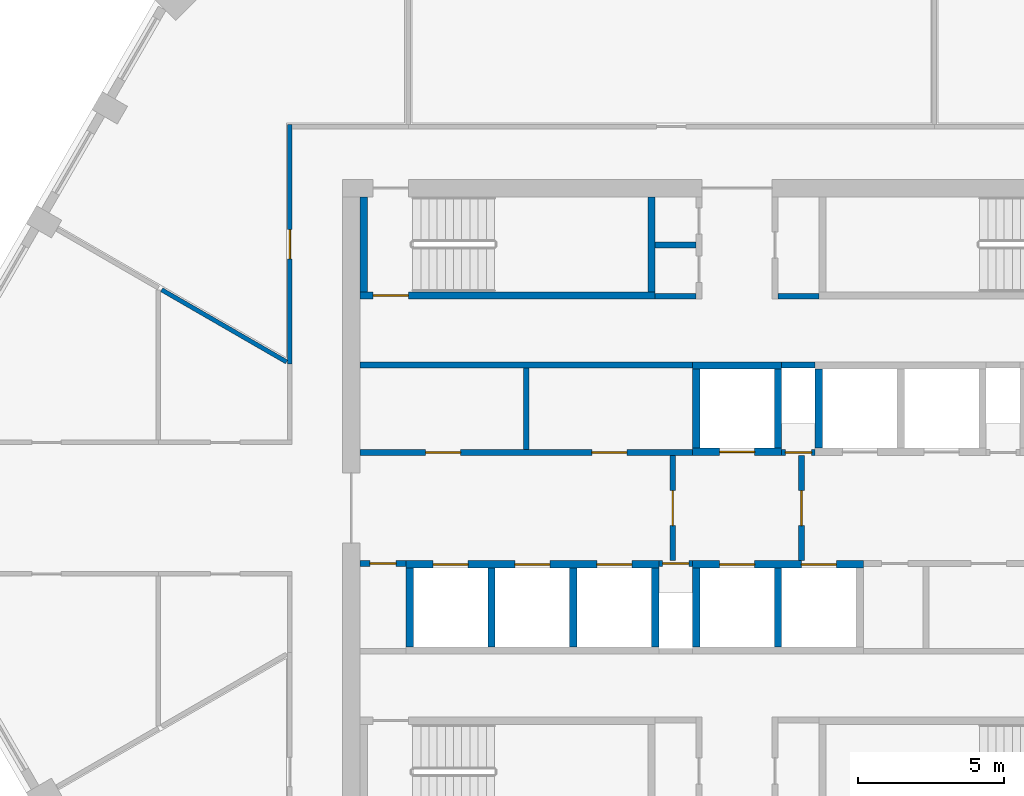
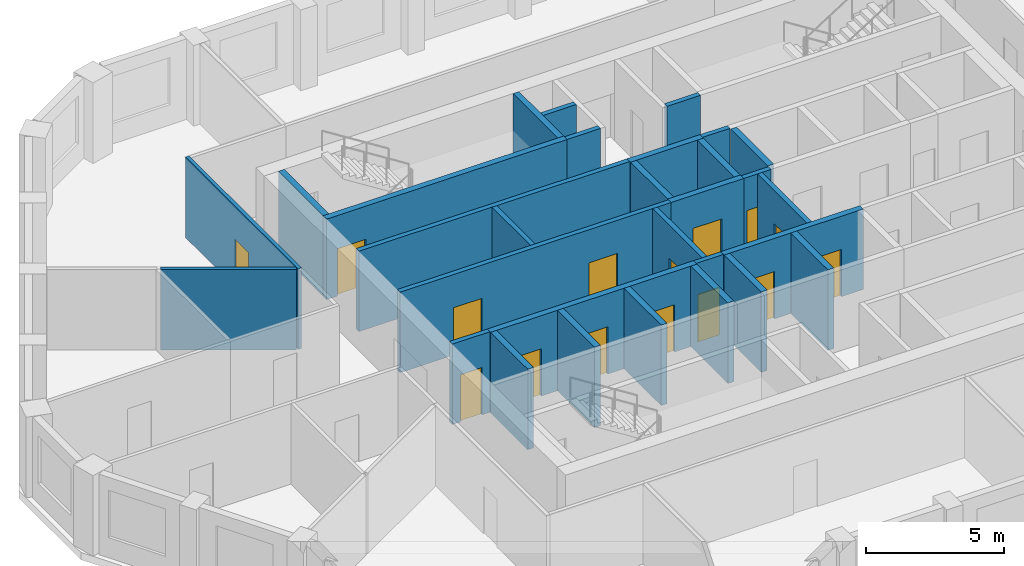
# One storey, part 3 of 11: 30 walls, 15 doors, 15 openings.
"""IFC4 building model written with IfcOpenShell, lengths in metres."""

import ifcopenshell
import ifcopenshell.guid

model = None  # the IFC model being written
_history = None  # IfcOwnerHistory: only IFC2X3 demands one
_inside = {}  # id of a spatial element -> (the spatial element, [elements in it])
_under = {}  # id of a project, library or spatial element -> (it, [spatial elements below it])
_declared = {}  # id of a project -> (the project, [libraries it declares])
_typed = {}  # id of a type object -> (the type object, [elements of that type])
_made_of = {}  # id of a material, layer set ... -> (it, [elements and type objects made of it])


def new_model(schema):
    """Start an empty IFC model of exactly this schema.

    Asked for "IFC4X3", IfcOpenShell would pick the latest addendum, in which some entities
    have other attributes; the version numbers below select the first issue.
    IFC2X3 requires an IfcOwnerHistory on every rooted entity: one is made here for all.
    """
    global model, _history
    if schema == "IFC4X3":
        model = ifcopenshell.file(schema_version=(4, 3, 0, 0))
    else:
        model = ifcopenshell.file(schema=schema)
    _inside.clear()
    _under.clear()
    _declared.clear()
    _typed.clear()
    _made_of.clear()
    _history = None
    if model.schema == "IFC2X3":
        org = make("IfcOrganization", Name="unknown")
        user = make(
            "IfcPersonAndOrganization",
            ThePerson=make("IfcPerson", FamilyName="unknown"),
            TheOrganization=org,
        )
        app = make(
            "IfcApplication",
            ApplicationDeveloper=org,
            Version="unknown",
            ApplicationFullName="unknown",
            ApplicationIdentifier="unknown",
        )
        _history = make(
            "IfcOwnerHistory",
            OwningUser=user,
            OwningApplication=app,
            ChangeAction="ADDED",
            CreationDate=0,
        )
    return model


def make(cls, **values):
    """One entity of the class cls with the attributes given. An attribute that is None is left unset."""
    return model.create_entity(
        cls, **{name: value for name, value in values.items() if value is not None}
    )


def rooted(cls, **values):
    """An entity with a GlobalId (a new one), such as an element, a storey or a relation."""
    return make(cls, GlobalId=ifcopenshell.guid.new(), OwnerHistory=_history, **values)


def si_unit(unit_type, name, prefix=None):
    """IfcSIUnit, for example si_unit("LENGTHUNIT", "METRE", prefix="MILLI")."""
    return make("IfcSIUnit", UnitType=unit_type, Prefix=prefix, Name=name)


def assignment(units):
    """IfcUnitAssignment: the units of a project."""
    return None if units is None else make("IfcUnitAssignment", Units=units)


def point(xyz):
    """IfcCartesianPoint."""
    return None if xyz is None else make("IfcCartesianPoint", Coordinates=xyz)


def direction(xyz):
    """IfcDirection."""
    return None if xyz is None else make("IfcDirection", DirectionRatios=xyz)


def frame(location, z_axis=None, x_axis=None):
    """IfcAxis2Placement3D, a coordinate frame: its origin and axes. An axis left out is left unset."""
    return make(
        "IfcAxis2Placement3D",
        Location=point(location),
        Axis=direction(z_axis),
        RefDirection=direction(x_axis),
    )


def frame_2d(location, x_axis=None):
    """IfcAxis2Placement2D, a coordinate frame in the plane: its origin and x axis."""
    return make(
        "IfcAxis2Placement2D", Location=point(location), RefDirection=direction(x_axis)
    )


def origin():
    """The frame at (0, 0, 0) with its axes left unset."""
    return frame((0.0, 0.0, 0.0))


def place(relative_to, where):
    """IfcLocalPlacement: puts the frame where relative to a parent placement (None: the world)."""
    return make(
        "IfcLocalPlacement", PlacementRelTo=relative_to, RelativePlacement=where
    )


def context(
    kind, dimensions, precision=None, world=None, true_north=None, identifier=None
):
    """IfcGeometricRepresentationContext, for example the 3D "Model" context."""
    return make(
        "IfcGeometricRepresentationContext",
        ContextIdentifier=identifier,
        ContextType=kind,
        CoordinateSpaceDimension=dimensions,
        Precision=precision,
        WorldCoordinateSystem=world,
        TrueNorth=true_north,
    )


def subcontext(parent, identifier, kind, view, scale=None):
    """IfcGeometricRepresentationSubContext, for example "Body" below "Model"."""
    return make(
        "IfcGeometricRepresentationSubContext",
        ContextIdentifier=identifier,
        ContextType=kind,
        ParentContext=parent,
        TargetScale=scale,
        TargetView=view,
    )


def project(units=None, contexts=None):
    """IfcProject with its units and contexts."""
    return rooted(
        "IfcProject",
        Name="project",
        RepresentationContexts=contexts,
        UnitsInContext=assignment(units),
    )


def spatial(cls, under=None, at=None, **own):
    """A site, building, storey or space (cls), placed at a placement, below another one or the project."""
    s = rooted(cls, ObjectPlacement=at, **own)
    if under is not None:
        _under.setdefault(under.id(), (under, []))[1].append(s)
    return s


def polyline(points):
    """IfcPolyline through the points."""
    return make("IfcPolyline", Points=[point(p) for p in points])


def profile(cls, at=None, kind="AREA", **sizes):
    """A parametric profile (cls). Its sizes go by their IFC names, for example OverallWidth=200.0."""
    return make(cls, ProfileType=kind, Position=at, **sizes)


def rectangle(**sizes):
    """IfcRectangleProfileDef."""
    return profile("IfcRectangleProfileDef", **sizes)


def outline(outer, holes=None, kind="AREA"):
    """IfcArbitraryClosedProfileDef: a profile drawn as a closed curve; with holes, ...WithVoids."""
    if holes is None:
        return make("IfcArbitraryClosedProfileDef", ProfileType=kind, OuterCurve=outer)
    return make(
        "IfcArbitraryProfileDefWithVoids",
        ProfileType=kind,
        OuterCurve=outer,
        InnerCurves=holes,
    )


def extrude(swept, where, along, depth):
    """IfcExtrudedAreaSolid: the profile swept, set in the frame where, extruded along a direction by depth."""
    return make(
        "IfcExtrudedAreaSolid",
        SweptArea=swept,
        Position=where,
        ExtrudedDirection=direction(along),
        Depth=depth,
    )


def shape(context_of_items, identifier, shape_type, items):
    """IfcShapeRepresentation: the items that make up one representation, for example the "Body"."""
    return make(
        "IfcShapeRepresentation",
        ContextOfItems=context_of_items,
        RepresentationIdentifier=identifier,
        RepresentationType=shape_type,
        Items=items,
    )


def material(Name=None, Category=None):
    """IfcMaterial."""
    return make("IfcMaterial", Name=Name, Category=Category)


def layer(
    of_material, thickness, ventilated=None, Name=None, Category=None, Priority=None
):
    """IfcMaterialLayer: one layer of a wall or slab, of a material (None: an air gap)."""
    return make(
        "IfcMaterialLayer",
        Material=of_material,
        LayerThickness=thickness,
        IsVentilated=ventilated,
        Name=Name,
        Category=Category,
        Priority=Priority,
    )


def layer_set(layers, Name=None):
    """IfcMaterialLayerSet."""
    return make("IfcMaterialLayerSet", MaterialLayers=layers, LayerSetName=Name)


def made_of(thing, what):
    """Note that an element or type object is made of a material, layer set ...; save() writes the relation."""
    if what is not None:
        _made_of.setdefault(what.id(), (what, []))[1].append(thing)
    return thing


def type_object(cls, material=None, **own):
    """A type object (cls), such as IfcWallType, which elements share."""
    return made_of(rooted(cls, **own), material)


def element(
    cls,
    number,
    at=None,
    inside=None,
    cuts=None,
    type_object=None,
    material=None,
    context=None,
    identifier="Body",
    shape_type=None,
    held_by="IfcProductDefinitionShape",
    body=None,
    shapes=None,
    **own,
):
    """One element of the class cls, such as IfcWall. Its Tag is "e" and its number.

    at: its placement. inside: the storey or other place that contains it. cuts: it is an
    opening in that element (IfcRelVoidsElement). A single representation is given by context,
    identifier, shape_type and body (its items); several are given by shapes. held_by: the class
    of the entity that holds the representations. save() writes the other relations.
    """
    e = rooted(cls, Tag="e%d" % number, ObjectPlacement=at, **own)
    if body is not None:
        shapes = [shape(context, identifier, shape_type, body)]
    if shapes is not None:
        e.Representation = make(held_by, Representations=shapes)
    if inside is not None:
        _inside.setdefault(inside.id(), (inside, []))[1].append(e)
    if cuts is not None:
        rooted(
            "IfcRelVoidsElement", RelatingBuildingElement=cuts, RelatedOpeningElement=e
        )
    if type_object is not None:
        _typed.setdefault(type_object.id(), (type_object, []))[1].append(e)
    return made_of(e, material)


def fill(opening, filler):
    """IfcRelFillsElement: the door or window that sits in an opening."""
    return rooted(
        "IfcRelFillsElement",
        RelatingOpeningElement=opening,
        RelatedBuildingElement=filler,
    )


def aggregate(whole, parts):
    """IfcRelAggregates: a whole, such as a stair, and the parts it consists of."""
    return rooted("IfcRelAggregates", RelatingObject=whole, RelatedObjects=parts)


def save(model, path):
    """Write the relations noted so far, then the file.

    IfcRelAggregates (storeys below a building ...), IfcRelContainedInSpatialStructure (elements
    in a storey), IfcRelDefinesByType, IfcRelAssociatesMaterial and IfcRelDeclares: one each for
    every whole, place, type object, material and project.
    """
    for whole, parts in _under.values():
        aggregate(whole, parts)
    for where, things in _inside.values():
        rooted(
            "IfcRelContainedInSpatialStructure",
            RelatedElements=things,
            RelatingStructure=where,
        )
    for kind, things in _typed.values():
        rooted("IfcRelDefinesByType", RelatedObjects=things, RelatingType=kind)
    for what, things in _made_of.values():
        rooted("IfcRelAssociatesMaterial", RelatedObjects=things, RelatingMaterial=what)
    for by, libraries in _declared.values():
        rooted("IfcRelDeclares", RelatingContext=by, RelatedDefinitions=libraries)
    model.write(path)


model = new_model("IFC4")

# Units and contexts
model_context = context("Model", 3, precision=1e-05, world=origin(), true_north=direction((0.0, 1.0)))
body_context = subcontext(model_context, "Body", "Model", "MODEL_VIEW")
ifc_project = project(units=[si_unit("LENGTHUNIT", "METRE"), si_unit("AREAUNIT", "SQUARE_METRE"), si_unit("VOLUMEUNIT", "CUBIC_METRE"), si_unit("PLANEANGLEUNIT", "RADIAN"), si_unit("MASSUNIT", "GRAM", prefix="KILO")], contexts=[model_context])

# Site, building, storey
site_placement = place(None, origin())
site = spatial("IfcSite", under=ifc_project, at=site_placement, CompositionType="ELEMENT")
building_placement = place(site_placement, origin())
building = spatial("IfcBuilding", under=site, at=building_placement, Name="Dhurran Vertical Campus", CompositionType="ELEMENT")
storey_placement = place(building_placement, frame((0.0, 0.0, 270.300048828125)))
storey = spatial("IfcBuildingStorey", under=building, at=storey_placement, Name="L67", CompositionType="ELEMENT", Elevation=270.300048828125)

# Wall, opening, door
ifc_material_1 = material(Name="Fire-rated masonry blockwork", Category="masonry")
ifc_layer_1 = layer(ifc_material_1, 0.199951171875)
ifc_layer_set_1 = layer_set([ifc_layer_1], Name="Fire-rated masonry blockwork")
wall_type_1 = type_object("IfcWallType", Name="co-FIRE-PARTITION-200", PredefinedType="PARTITIONING", material=ifc_layer_set_1)
wall_1_placement = place(storey_placement, frame((-2.199951171875, -1.800048828125, 0.0), z_axis=(0.0, 0.0, 1.0), x_axis=(0.0, 1.0, 0.0)))
wall_1 = element("IfcWall", 1, at=wall_1_placement, inside=storey, type_object=wall_type_1, Name="Firefighting lobby wall W L67", PredefinedType="PARTITIONING", context=body_context, shape_type="SweptSolid", body=[
    extrude(rectangle(XDim=3.60009765625, YDim=0.199951171875, at=frame_2d((1.800048828125, 0.0))), origin(), (0.0, 0.0, 1.0), 3.574951171875),
])
opening_1_placement = place(wall_1_placement, frame((1.199951171875, 0.0, 0.0)))
opening_1 = element("IfcOpeningElement", 2, at=opening_1_placement, cuts=wall_1, Name="Opening FL1", PredefinedType="OPENING", context=body_context, shape_type="SweptSolid", body=[
    extrude(rectangle(XDim=1.199951171875, YDim=2.10009765625, at=frame_2d((0.60009765625, 1.050048828125))), frame((0.0, 0.10986328125, 0.0), z_axis=(0.0, -1.0, 0.0), x_axis=(1.0, 0.0, 0.0)), (0.0, 0.0, 1.0), 0.219970703125),
])
ifc_material_2 = material(Name="Fire-rated steel door set", Category="steel")
door_type_1 = type_object("IfcDoorType", Name="co-D-FFLOBBY 1200x2100", OperationType="SINGLE_SWING_LEFT", PredefinedType="DOOR", material=ifc_material_2)
door_1_placement = place(opening_1_placement, origin())
door_1 = element("IfcDoor", 3, at=door_1_placement, inside=storey, type_object=door_type_1, Name="Firefighting lobby door W L67", OperationType="SINGLE_SWING_LEFT", OverallHeight=2.10009765625, OverallWidth=1.199951171875, PredefinedType="DOOR", context=body_context, shape_type="SweptSolid", body=[
    extrude(rectangle(XDim=1.199951171875, YDim=2.10009765625, at=frame_2d((0.60009765625, 1.050048828125))), frame((0.0, 0.02490234375, 0.0), z_axis=(0.0, -1.0, 0.0), x_axis=(1.0, 0.0, 0.0)), (0.0, 0.0, 1.0), 0.050048828125),
])
fill(opening_1, door_1)

wall_2_placement = place(storey_placement, frame((2.199951171875, -1.800048828125, 0.0), z_axis=(0.0, 0.0, 1.0), x_axis=(0.0, 1.0, 0.0)))
wall_2 = element("IfcWall", 4, at=wall_2_placement, inside=storey, type_object=wall_type_1, Name="Firefighting lobby wall E L67", PredefinedType="PARTITIONING", context=body_context, shape_type="SweptSolid", body=[
    extrude(rectangle(XDim=3.60009765625, YDim=0.199951171875, at=frame_2d((1.800048828125, 0.0))), origin(), (0.0, 0.0, 1.0), 3.574951171875),
])
opening_2_placement = place(wall_2_placement, frame((1.199951171875, 0.0, 0.0)))
opening_2 = element("IfcOpeningElement", 5, at=opening_2_placement, cuts=wall_2, Name="Opening FL2", PredefinedType="OPENING", context=body_context, shape_type="SweptSolid", body=[
    extrude(rectangle(XDim=1.199951171875, YDim=2.10009765625, at=frame_2d((0.60009765625, 1.050048828125))), frame((0.0, 0.10986328125, 0.0), z_axis=(0.0, -1.0, 0.0), x_axis=(1.0, 0.0, 0.0)), (0.0, 0.0, 1.0), 0.219970703125),
])
door_2_placement = place(opening_2_placement, origin())
door_2 = element("IfcDoor", 6, at=door_2_placement, inside=storey, type_object=door_type_1, Name="Firefighting lobby door E L67", OperationType="SINGLE_SWING_LEFT", OverallHeight=2.10009765625, OverallWidth=1.199951171875, PredefinedType="DOOR", context=body_context, shape_type="SweptSolid", body=[
    extrude(rectangle(XDim=1.199951171875, YDim=2.10009765625, at=frame_2d((0.60009765625, 1.050048828125))), frame((0.0, 0.02490234375, 0.0), z_axis=(0.0, -1.0, 0.0), x_axis=(1.0, 0.0, 0.0)), (0.0, 0.0, 1.0), 0.050048828125),
])
fill(opening_2, door_2)

# Walls
for number, where, z_axis, x_axis, name in (
    (7, (-2.800048828125, 7.25, 0.0), (0.0, 0.0, 1.0), (1.0, 0.0, 0.0), "Core partition sl-NW-S L67"),
    (8, (-2.800048828125, 9.0, 0.0), (0.0, 0.0, 1.0), (1.0, 0.0, 0.0), "Core partition sl-NW-cut0 L67"),
    (9, (1.39990234375, 7.25, 0.0), (0.0, 0.0, 1.0), (1.0, 0.0, 0.0), "Core partition sl-NE-S L67"),
):
    element("IfcWall", number, at=place(storey_placement, frame(where, z_axis=z_axis, x_axis=x_axis)), inside=storey, type_object=wall_type_1, Name=name, PredefinedType="PARTITIONING", context=body_context, shape_type="SweptSolid", body=[
        extrude(rectangle(XDim=1.400146484375, YDim=0.199951171875, at=frame_2d((0.7001953125, 0.0))), origin(), (0.0, 0.0, 1.0), 3.574951171875),
    ])
wall_3_placement = place(storey_placement, frame((-7.21240234375, 2.0, 0.0), z_axis=(0.0, 0.0, 1.0), x_axis=(0.0, 1.0, 0.0)))
element("IfcWall", 10, at=wall_3_placement, inside=storey, type_object=wall_type_1, Name="Core partition fr-N0-cut0 L67", PredefinedType="PARTITIONING", context=body_context, shape_type="SweptSolid", body=[
    extrude(rectangle(XDim=2.800048828125, YDim=0.199951171875, at=frame_2d((1.39990234375, 0.0))), origin(), (0.0, 0.0, 1.0), 3.574951171875),
])

# Wall, openings, doors
wall_4_placement = place(storey_placement, frame((-12.89990234375, 1.89990234375, 0.0), z_axis=(0.0, 0.0, 1.0), x_axis=(1.0, 0.0, 0.0)))
wall_4 = element("IfcWall", 11, at=wall_4_placement, inside=storey, type_object=wall_type_1, Name="Core partition fr-N0-f L67", PredefinedType="PARTITIONING", context=body_context, shape_type="SweptSolid", body=[
    extrude(rectangle(XDim=11.375, YDim=0.199951171875, at=frame_2d((5.6875, 0.0))), origin(), (0.0, 0.0, 1.0), 3.574951171875),
])
opening_3_placement = place(wall_4_placement, frame((2.243896484375, 0.0, 0.0)))
opening_3 = element("IfcOpeningElement", 12, at=opening_3_placement, cuts=wall_4, Name="Opening T20-C6", PredefinedType="OPENING", context=body_context, shape_type="SweptSolid", body=[
    extrude(rectangle(XDim=1.199951171875, YDim=2.10009765625, at=frame_2d((0.60009765625, 1.050048828125))), frame((0.0, 0.10986328125, 0.0), z_axis=(0.0, -1.0, 0.0), x_axis=(1.0, 0.0, 0.0)), (0.0, 0.0, 1.0), 0.219970703125),
])
opening_4_placement = place(wall_4_placement, frame((7.931396484375, 0.0, 0.0)))
opening_4 = element("IfcOpeningElement", 13, at=opening_4_placement, cuts=wall_4, Name="Opening T20-C7", PredefinedType="OPENING", context=body_context, shape_type="SweptSolid", body=[
    extrude(rectangle(XDim=1.199951171875, YDim=2.10009765625, at=frame_2d((0.60009765625, 1.050048828125))), frame((0.0, 0.10986328125, 0.0), z_axis=(0.0, -1.0, 0.0), x_axis=(1.0, 0.0, 0.0)), (0.0, 0.0, 1.0), 0.219970703125),
])
ifc_material_3 = material(Name="Fire-rated steel door set", Category="steel")
door_type_2 = type_object("IfcDoorType", Name="co-D-ROOM-PASSAGE 1200x2100", OperationType="SINGLE_SWING_RIGHT", PredefinedType="DOOR", material=ifc_material_3)
door_3_placement = place(opening_3_placement, origin())
door_3 = element("IfcDoor", 14, at=door_3_placement, inside=storey, type_object=door_type_2, Name="Electrical riser door L67", OperationType="SINGLE_SWING_RIGHT", OverallHeight=2.10009765625, OverallWidth=1.199951171875, PredefinedType="DOOR", context=body_context, shape_type="SweptSolid", body=[
    extrude(rectangle(XDim=1.199951171875, YDim=2.10009765625, at=frame_2d((0.60009765625, 1.050048828125))), frame((0.0, 0.02490234375, 0.0), z_axis=(0.0, -1.0, 0.0), x_axis=(1.0, 0.0, 0.0)), (0.0, 0.0, 1.0), 0.050048828125),
])
fill(opening_3, door_3)
door_4_placement = place(opening_4_placement, origin())
door_4 = element("IfcDoor", 15, at=door_4_placement, inside=storey, type_object=door_type_2, Name="Pantry door L67", OperationType="SINGLE_SWING_RIGHT", OverallHeight=2.10009765625, OverallWidth=1.199951171875, PredefinedType="DOOR", context=body_context, shape_type="SweptSolid", body=[
    extrude(rectangle(XDim=1.199951171875, YDim=2.10009765625, at=frame_2d((0.60009765625, 1.050048828125))), frame((0.0, 0.02490234375, 0.0), z_axis=(0.0, -1.0, 0.0), x_axis=(1.0, 0.0, 0.0)), (0.0, 0.0, 1.0), 0.050048828125),
])
fill(opening_4, door_4)

# Wall
wall_5_placement = place(storey_placement, frame((-12.89990234375, 4.89990234375, 0.0), z_axis=(0.0, 0.0, 1.0), x_axis=(1.0, 0.0, 0.0)))
element("IfcWall", 16, at=wall_5_placement, inside=storey, type_object=wall_type_1, Name="Core partition fr-N0-b L67", PredefinedType="PARTITIONING", context=body_context, shape_type="SweptSolid", body=[
    extrude(rectangle(XDim=11.375, YDim=0.199951171875, at=frame_2d((5.6875, 0.0))), origin(), (0.0, 0.0, 1.0), 3.574951171875),
])

# Wall, opening, door
wall_6_placement = place(storey_placement, frame((1.52490234375, 1.89990234375, 0.0), z_axis=(0.0, 0.0, 1.0), x_axis=(1.0, 0.0, 0.0)))
wall_6 = element("IfcWall", 17, at=wall_6_placement, inside=storey, type_object=wall_type_1, Name="Core partition fr-N1-f L67", PredefinedType="PARTITIONING", context=body_context, shape_type="SweptSolid", body=[
    extrude(rectangle(XDim=1.150146484375, YDim=0.199951171875, at=frame_2d((0.5751953125, 0.0))), origin(), (0.0, 0.0, 1.0), 3.574951171875),
])
opening_5_placement = place(wall_6_placement, frame((0.125, 0.0, 0.0)))
opening_5 = element("IfcOpeningElement", 18, at=opening_5_placement, cuts=wall_6, Name="Opening T20-C8", PredefinedType="OPENING", context=body_context, shape_type="SweptSolid", body=[
    extrude(rectangle(XDim=0.89990234375, YDim=2.10009765625, at=frame_2d((0.449951171875, 1.050048828125))), frame((0.0, 0.10986328125, 0.0), z_axis=(0.0, -1.0, 0.0), x_axis=(1.0, 0.0, 0.0)), (0.0, 0.0, 1.0), 0.219970703125),
])
ifc_material_4 = material(Name="Fire-rated timber door set", Category="wood")
door_type_3 = type_object("IfcDoorType", Name="co-D-ROOM 900x2100", OperationType="SINGLE_SWING_LEFT", PredefinedType="DOOR", material=ifc_material_4)
door_5_placement = place(opening_5_placement, origin())
door_5 = element("IfcDoor", 19, at=door_5_placement, inside=storey, type_object=door_type_3, Name="Water riser door L67", OperationType="SINGLE_SWING_LEFT", OverallHeight=2.10009765625, OverallWidth=0.89990234375, PredefinedType="DOOR", context=body_context, shape_type="SweptSolid", body=[
    extrude(rectangle(XDim=0.89990234375, YDim=2.10009765625, at=frame_2d((0.449951171875, 1.050048828125))), frame((0.0, 0.02490234375, 0.0), z_axis=(0.0, -1.0, 0.0), x_axis=(1.0, 0.0, 0.0)), (0.0, 0.0, 1.0), 0.050048828125),
])
fill(opening_5, door_5)

# Wall
wall_7_placement = place(storey_placement, frame((1.52490234375, 4.89990234375, 0.0), z_axis=(0.0, 0.0, 1.0), x_axis=(1.0, 0.0, 0.0)))
element("IfcWall", 20, at=wall_7_placement, inside=storey, type_object=wall_type_1, Name="Core partition fr-N1-b L67", PredefinedType="PARTITIONING", context=body_context, shape_type="SweptSolid", body=[
    extrude(rectangle(XDim=1.150146484375, YDim=0.199951171875, at=frame_2d((0.5751953125, 0.0))), origin(), (0.0, 0.0, 1.0), 3.574951171875),
])

# Wall, opening, door
wall_8_placement = place(storey_placement, frame((-12.89990234375, -1.89990234375, 0.0), z_axis=(0.0, 0.0, 1.0), x_axis=(1.0, 0.0, 0.0)))
wall_8 = element("IfcWall", 21, at=wall_8_placement, inside=storey, type_object=wall_type_1, Name="Core partition fr-S0-f L67", PredefinedType="PARTITIONING", context=body_context, shape_type="SweptSolid", body=[
    extrude(rectangle(XDim=1.574951171875, YDim=0.199951171875, at=frame_2d((0.78759765625, 0.0))), origin(), (0.0, 0.0, 1.0), 3.574951171875),
])
opening_6_placement = place(wall_8_placement, frame((0.33740234375, 0.0, 0.0)))
opening_6 = element("IfcOpeningElement", 22, at=opening_6_placement, cuts=wall_8, Name="Opening T20-C10", PredefinedType="OPENING", context=body_context, shape_type="SweptSolid", body=[
    extrude(rectangle(XDim=0.89990234375, YDim=2.10009765625, at=frame_2d((0.449951171875, 1.050048828125))), frame((0.0, 0.10986328125, 0.0), z_axis=(0.0, -1.0, 0.0), x_axis=(1.0, 0.0, 0.0)), (0.0, 0.0, 1.0), 0.219970703125),
])
door_6_placement = place(opening_6_placement, origin())
door_6 = element("IfcDoor", 23, at=door_6_placement, inside=storey, type_object=door_type_3, Name="Cleaner's store door L67", OperationType="SINGLE_SWING_LEFT", OverallHeight=2.10009765625, OverallWidth=0.89990234375, PredefinedType="DOOR", context=body_context, shape_type="SweptSolid", body=[
    extrude(rectangle(XDim=0.89990234375, YDim=2.10009765625, at=frame_2d((0.449951171875, 1.050048828125))), frame((0.0, 0.02490234375, 0.0), z_axis=(0.0, -1.0, 0.0), x_axis=(1.0, 0.0, 0.0)), (0.0, 0.0, 1.0), 0.050048828125),
])
fill(opening_6, door_6)

wall_9_placement = place(storey_placement, frame((-2.675048828125, -1.89990234375, 0.0), z_axis=(0.0, 0.0, 1.0), x_axis=(1.0, 0.0, 0.0)))
wall_9 = element("IfcWall", 24, at=wall_9_placement, inside=storey, type_object=wall_type_1, Name="Core partition fr-S1-f L67", PredefinedType="PARTITIONING", context=body_context, shape_type="SweptSolid", body=[
    extrude(rectangle(XDim=1.150146484375, YDim=0.199951171875, at=frame_2d((0.5751953125, 0.0))), origin(), (0.0, 0.0, 1.0), 3.574951171875),
])
opening_7_placement = place(wall_9_placement, frame((0.125, 0.0, 0.0)))
opening_7 = element("IfcOpeningElement", 25, at=opening_7_placement, cuts=wall_9, Name="Opening T20-C11", PredefinedType="OPENING", context=body_context, shape_type="SweptSolid", body=[
    extrude(rectangle(XDim=0.89990234375, YDim=2.10009765625, at=frame_2d((0.449951171875, 1.050048828125))), frame((0.0, 0.10986328125, 0.0), z_axis=(0.0, -1.0, 0.0), x_axis=(1.0, 0.0, 0.0)), (0.0, 0.0, 1.0), 0.219970703125),
])
door_7_placement = place(opening_7_placement, origin())
door_7 = element("IfcDoor", 26, at=door_7_placement, inside=storey, type_object=door_type_3, Name="Communications riser door L67", OperationType="SINGLE_SWING_LEFT", OverallHeight=2.10009765625, OverallWidth=0.89990234375, PredefinedType="DOOR", context=body_context, shape_type="SweptSolid", body=[
    extrude(rectangle(XDim=0.89990234375, YDim=2.10009765625, at=frame_2d((0.449951171875, 1.050048828125))), frame((0.0, 0.02490234375, 0.0), z_axis=(0.0, -1.0, 0.0), x_axis=(1.0, 0.0, 0.0)), (0.0, 0.0, 1.0), 0.050048828125),
])
fill(opening_7, door_7)

ifc_material_5 = material(Name="Concrete C50/60", Category="concrete")
ifc_layer_2 = layer(ifc_material_5, 0.25)
ifc_layer_set_2 = layer_set([ifc_layer_2], Name="Concrete C50/60")
wall_type_2 = type_object("IfcWallType", Name="co-SHAFT-FRONT-250", PredefinedType="SHEAR", material=ifc_layer_set_2)
wall_10_placement = place(storey_placement, frame((-1.52490234375, 1.925048828125, 0.0), z_axis=(0.0, 0.0, 1.0), x_axis=(1.0, 0.0, 0.0)))
wall_10 = element("IfcWall", 27, at=wall_10_placement, inside=storey, type_object=wall_type_2, Name="Lift landing wall N L67", PredefinedType="SHEAR", context=body_context, shape_type="SweptSolid", body=[
    extrude(rectangle(XDim=3.0498046875, YDim=0.25, at=frame_2d((1.52490234375, 0.0))), origin(), (0.0, 0.0, 1.0), 3.574951171875),
])
opening_8_placement = place(wall_10_placement, frame((0.925048828125, 0.0, 0.0)))
opening_8 = element("IfcOpeningElement", 28, at=opening_8_placement, cuts=wall_10, Name="Opening LD", PredefinedType="OPENING", context=body_context, shape_type="SweptSolid", body=[
    extrude(rectangle(XDim=1.199951171875, YDim=2.10009765625, at=frame_2d((0.60009765625, 1.050048828125))), frame((0.0, 0.135009765625, 0.0), z_axis=(0.0, -1.0, 0.0), x_axis=(1.0, 0.0, 0.0)), (0.0, 0.0, 1.0), 0.27001953125),
])
ifc_material_6 = material(Name="Stainless steel landing door", Category="steel")
door_type_4 = type_object("IfcDoorType", Name="co-D-LANDING 1200x2100", OperationType="DOUBLE_DOOR_SLIDING", PredefinedType="DOOR", material=ifc_material_6)
door_8_placement = place(opening_8_placement, origin())
door_8 = element("IfcDoor", 29, at=door_8_placement, inside=storey, type_object=door_type_4, Name="Landing door FF1 L67", OperationType="DOUBLE_DOOR_SLIDING", OverallHeight=2.10009765625, OverallWidth=1.199951171875, PredefinedType="DOOR", context=body_context, shape_type="SweptSolid", body=[
    extrude(rectangle(XDim=1.199951171875, YDim=2.10009765625, at=frame_2d((0.60009765625, 1.050048828125))), frame((0.0, 0.02490234375, 0.0), z_axis=(0.0, -1.0, 0.0), x_axis=(1.0, 0.0, 0.0)), (0.0, 0.0, 1.0), 0.050048828125),
])
fill(opening_8, door_8)

# Wall, openings, doors
wall_11_placement = place(storey_placement, frame((-11.324951171875, -1.925048828125, 0.0), z_axis=(0.0, 0.0, 1.0), x_axis=(1.0, 0.0, 0.0)))
wall_11 = element("IfcWall", 30, at=wall_11_placement, inside=storey, type_object=wall_type_2, Name="Lift landing wall S L67", PredefinedType="SHEAR", context=body_context, shape_type="SweptSolid", body=[
    extrude(rectangle(XDim=8.64990234375, YDim=0.25, at=frame_2d((4.324951171875, 0.0))), origin(), (0.0, 0.0, 1.0), 3.574951171875),
])
opening_9_placement = place(wall_11_placement, frame((0.925048828125, 0.0, 0.0)))
opening_9 = element("IfcOpeningElement", 31, at=opening_9_placement, cuts=wall_11, Name="Opening LD", PredefinedType="OPENING", context=body_context, shape_type="SweptSolid", body=[
    extrude(rectangle(XDim=1.199951171875, YDim=2.10009765625, at=frame_2d((0.60009765625, 1.050048828125))), frame((0.0, 0.135009765625, 0.0), z_axis=(0.0, -1.0, 0.0), x_axis=(1.0, 0.0, 0.0)), (0.0, 0.0, 1.0), 0.27001953125),
])
opening_10_placement = place(wall_11_placement, frame((3.72509765625, 0.0, 0.0)))
opening_10 = element("IfcOpeningElement", 32, at=opening_10_placement, cuts=wall_11, Name="Opening LD", PredefinedType="OPENING", context=body_context, shape_type="SweptSolid", body=[
    extrude(rectangle(XDim=1.199951171875, YDim=2.10009765625, at=frame_2d((0.60009765625, 1.050048828125))), frame((0.0, 0.135009765625, 0.0), z_axis=(0.0, -1.0, 0.0), x_axis=(1.0, 0.0, 0.0)), (0.0, 0.0, 1.0), 0.27001953125),
])
opening_11_placement = place(wall_11_placement, frame((6.52490234375, 0.0, 0.0)))
opening_11 = element("IfcOpeningElement", 33, at=opening_11_placement, cuts=wall_11, Name="Opening LD", PredefinedType="OPENING", context=body_context, shape_type="SweptSolid", body=[
    extrude(rectangle(XDim=1.199951171875, YDim=2.10009765625, at=frame_2d((0.60009765625, 1.050048828125))), frame((0.0, 0.135009765625, 0.0), z_axis=(0.0, -1.0, 0.0), x_axis=(1.0, 0.0, 0.0)), (0.0, 0.0, 1.0), 0.27001953125),
])
door_9_placement = place(opening_9_placement, origin())
door_9 = element("IfcDoor", 34, at=door_9_placement, inside=storey, type_object=door_type_4, Name="Landing door HR3 L67", OperationType="DOUBLE_DOOR_SLIDING", OverallHeight=2.10009765625, OverallWidth=1.199951171875, PredefinedType="DOOR", context=body_context, shape_type="SweptSolid", body=[
    extrude(rectangle(XDim=1.199951171875, YDim=2.10009765625, at=frame_2d((0.60009765625, 1.050048828125))), frame((0.0, 0.02490234375, 0.0), z_axis=(0.0, -1.0, 0.0), x_axis=(1.0, 0.0, 0.0)), (0.0, 0.0, 1.0), 0.050048828125),
])
fill(opening_9, door_9)
door_10_placement = place(opening_10_placement, origin())
door_10 = element("IfcDoor", 35, at=door_10_placement, inside=storey, type_object=door_type_4, Name="Landing door HR4 L67", OperationType="DOUBLE_DOOR_SLIDING", OverallHeight=2.10009765625, OverallWidth=1.199951171875, PredefinedType="DOOR", context=body_context, shape_type="SweptSolid", body=[
    extrude(rectangle(XDim=1.199951171875, YDim=2.10009765625, at=frame_2d((0.60009765625, 1.050048828125))), frame((0.0, 0.02490234375, 0.0), z_axis=(0.0, -1.0, 0.0), x_axis=(1.0, 0.0, 0.0)), (0.0, 0.0, 1.0), 0.050048828125),
])
fill(opening_10, door_10)
door_11_placement = place(opening_11_placement, origin())
door_11 = element("IfcDoor", 36, at=door_11_placement, inside=storey, type_object=door_type_4, Name="Landing door HR5 L67", OperationType="DOUBLE_DOOR_SLIDING", OverallHeight=2.10009765625, OverallWidth=1.199951171875, PredefinedType="DOOR", context=body_context, shape_type="SweptSolid", body=[
    extrude(rectangle(XDim=1.199951171875, YDim=2.10009765625, at=frame_2d((0.60009765625, 1.050048828125))), frame((0.0, 0.02490234375, 0.0), z_axis=(0.0, -1.0, 0.0), x_axis=(1.0, 0.0, 0.0)), (0.0, 0.0, 1.0), 0.050048828125),
])
fill(opening_11, door_11)

wall_12_placement = place(storey_placement, frame((-1.52490234375, -1.925048828125, 0.0), z_axis=(0.0, 0.0, 1.0), x_axis=(1.0, 0.0, 0.0)))
wall_12 = element("IfcWall", 37, at=wall_12_placement, inside=storey, type_object=wall_type_2, Name="Lift landing wall S L67", PredefinedType="SHEAR", context=body_context, shape_type="SweptSolid", body=[
    extrude(rectangle(XDim=5.849853515625, YDim=0.25, at=frame_2d((2.9248046875, 0.0))), origin(), (0.0, 0.0, 1.0), 3.574951171875),
])
opening_12_placement = place(wall_12_placement, frame((0.925048828125, 0.0, 0.0)))
opening_12 = element("IfcOpeningElement", 38, at=opening_12_placement, cuts=wall_12, Name="Opening LD", PredefinedType="OPENING", context=body_context, shape_type="SweptSolid", body=[
    extrude(rectangle(XDim=1.199951171875, YDim=2.10009765625, at=frame_2d((0.60009765625, 1.050048828125))), frame((0.0, 0.135009765625, 0.0), z_axis=(0.0, -1.0, 0.0), x_axis=(1.0, 0.0, 0.0)), (0.0, 0.0, 1.0), 0.27001953125),
])
opening_13_placement = place(wall_12_placement, frame((3.72509765625, 0.0, 0.0)))
opening_13 = element("IfcOpeningElement", 39, at=opening_13_placement, cuts=wall_12, Name="Opening LD", PredefinedType="OPENING", context=body_context, shape_type="SweptSolid", body=[
    extrude(rectangle(XDim=1.199951171875, YDim=2.10009765625, at=frame_2d((0.60009765625, 1.050048828125))), frame((0.0, 0.135009765625, 0.0), z_axis=(0.0, -1.0, 0.0), x_axis=(1.0, 0.0, 0.0)), (0.0, 0.0, 1.0), 0.27001953125),
])
door_12_placement = place(opening_12_placement, origin())
door_12 = element("IfcDoor", 40, at=door_12_placement, inside=storey, type_object=door_type_4, Name="Landing door FF2 L67", OperationType="DOUBLE_DOOR_SLIDING", OverallHeight=2.10009765625, OverallWidth=1.199951171875, PredefinedType="DOOR", context=body_context, shape_type="SweptSolid", body=[
    extrude(rectangle(XDim=1.199951171875, YDim=2.10009765625, at=frame_2d((0.60009765625, 1.050048828125))), frame((0.0, 0.02490234375, 0.0), z_axis=(0.0, -1.0, 0.0), x_axis=(1.0, 0.0, 0.0)), (0.0, 0.0, 1.0), 0.050048828125),
])
fill(opening_12, door_12)
door_13_placement = place(opening_13_placement, origin())
door_13 = element("IfcDoor", 41, at=door_13_placement, inside=storey, type_object=door_type_4, Name="Landing door SV1 L67", OperationType="DOUBLE_DOOR_SLIDING", OverallHeight=2.10009765625, OverallWidth=1.199951171875, PredefinedType="DOOR", context=body_context, shape_type="SweptSolid", body=[
    extrude(rectangle(XDim=1.199951171875, YDim=2.10009765625, at=frame_2d((0.60009765625, 1.050048828125))), frame((0.0, 0.02490234375, 0.0), z_axis=(0.0, -1.0, 0.0), x_axis=(1.0, 0.0, 0.0)), (0.0, 0.0, 1.0), 0.050048828125),
])
fill(opening_13, door_13)

# Walls
ifc_material_7 = material(Name="Concrete C50/60", Category="concrete")
ifc_layer_3 = layer(ifc_material_7, 0.25)
ifc_layer_set_3 = layer_set([ifc_layer_3], Name="Concrete C50/60")
wall_type_3 = type_object("IfcWallType", Name="co-SHAFT-MASS-250", PredefinedType="SHEAR", material=ifc_layer_set_3)
wall_13_placement = place(storey_placement, origin())
element("IfcWall", 42, at=wall_13_placement, inside=storey, type_object=wall_type_3, Name="Lift shaft wall N L67 1", PredefinedType="SHEAR", context=body_context, shape_type="SweptSolid", body=[
    extrude(outline(polyline([(-1.52490234375, 4.75), (1.52490234375, 4.75), (1.52490234375, 5.0), (-1.52490234375, 5.0), (-1.52490234375, 4.75)])), origin(), (0.0, 0.0, 1.0), 3.574951171875),
])
wall_14_placement = place(storey_placement, origin())
element("IfcWall", 43, at=wall_14_placement, inside=storey, type_object=wall_type_3, Name="Lift shaft wall N L67 4", PredefinedType="SHEAR", context=body_context, shape_type="SweptSolid", body=[
    extrude(outline(polyline([(-1.52490234375, 2.050048828125), (-1.27490234375, 2.050048828125), (-1.27490234375, 4.75), (-1.52490234375, 4.75), (-1.52490234375, 2.050048828125)])), origin(), (0.0, 0.0, 1.0), 3.574951171875),
])
wall_15_placement = place(storey_placement, origin())
element("IfcWall", 44, at=wall_15_placement, inside=storey, type_object=wall_type_3, Name="Lift shaft wall N L67 5", PredefinedType="SHEAR", context=body_context, shape_type="SweptSolid", body=[
    extrude(outline(polyline([(1.27490234375, 2.050048828125), (1.52490234375, 2.050048828125), (1.52490234375, 4.75), (1.27490234375, 4.75), (1.27490234375, 2.050048828125)])), origin(), (0.0, 0.0, 1.0), 3.574951171875),
])
wall_16_placement = place(storey_placement, origin())
element("IfcWall", 45, at=wall_16_placement, inside=storey, type_object=wall_type_3, Name="Lift shaft wall N L67 6", PredefinedType="SHEAR", context=body_context, shape_type="SweptSolid", body=[
    extrude(outline(polyline([(2.675048828125, 2.050048828125), (2.925048828125, 2.050048828125), (2.925048828125, 4.75), (2.675048828125, 4.75), (2.675048828125, 2.050048828125)])), origin(), (0.0, 0.0, 1.0), 3.574951171875),
])
wall_17_placement = place(storey_placement, origin())
element("IfcWall", 46, at=wall_17_placement, inside=storey, type_object=wall_type_3, Name="Lift shaft wall S L67 3", PredefinedType="SHEAR", context=body_context, shape_type="SweptSolid", body=[
    extrude(outline(polyline([(-11.324951171875, -4.75), (-11.074951171875, -4.75), (-11.074951171875, -2.050048828125), (-11.324951171875, -2.050048828125), (-11.324951171875, -4.75)])), origin(), (0.0, 0.0, 1.0), 3.574951171875),
])
wall_18_placement = place(storey_placement, origin())
element("IfcWall", 47, at=wall_18_placement, inside=storey, type_object=wall_type_3, Name="Lift shaft wall S L67 4", PredefinedType="SHEAR", context=body_context, shape_type="SweptSolid", body=[
    extrude(outline(polyline([(-8.52490234375, -4.75), (-8.27490234375, -4.75), (-8.27490234375, -2.050048828125), (-8.52490234375, -2.050048828125), (-8.52490234375, -4.75)])), origin(), (0.0, 0.0, 1.0), 3.574951171875),
])
wall_19_placement = place(storey_placement, origin())
element("IfcWall", 48, at=wall_19_placement, inside=storey, type_object=wall_type_3, Name="Lift shaft wall S L67 5", PredefinedType="SHEAR", context=body_context, shape_type="SweptSolid", body=[
    extrude(outline(polyline([(-5.72509765625, -4.75), (-5.47509765625, -4.75), (-5.47509765625, -2.050048828125), (-5.72509765625, -2.050048828125), (-5.72509765625, -4.75)])), origin(), (0.0, 0.0, 1.0), 3.574951171875),
])
wall_20_placement = place(storey_placement, origin())
element("IfcWall", 49, at=wall_20_placement, inside=storey, type_object=wall_type_3, Name="Lift shaft wall S L67 6", PredefinedType="SHEAR", context=body_context, shape_type="SweptSolid", body=[
    extrude(outline(polyline([(-2.925048828125, -4.75), (-2.675048828125, -4.75), (-2.675048828125, -2.050048828125), (-2.925048828125, -2.050048828125), (-2.925048828125, -4.75)])), origin(), (0.0, 0.0, 1.0), 3.574951171875),
])
wall_21_placement = place(storey_placement, origin())
element("IfcWall", 50, at=wall_21_placement, inside=storey, type_object=wall_type_3, Name="Lift shaft wall S L67 7", PredefinedType="SHEAR", context=body_context, shape_type="SweptSolid", body=[
    extrude(outline(polyline([(-1.52490234375, -4.75), (-1.27490234375, -4.75), (-1.27490234375, -2.050048828125), (-1.52490234375, -2.050048828125), (-1.52490234375, -4.75)])), origin(), (0.0, 0.0, 1.0), 3.574951171875),
])
wall_22_placement = place(storey_placement, origin())
element("IfcWall", 51, at=wall_22_placement, inside=storey, type_object=wall_type_3, Name="Lift shaft wall S L67 8", PredefinedType="SHEAR", context=body_context, shape_type="SweptSolid", body=[
    extrude(outline(polyline([(1.27490234375, -4.75), (1.52490234375, -4.75), (1.52490234375, -2.050048828125), (1.27490234375, -2.050048828125), (1.27490234375, -4.75)])), origin(), (0.0, 0.0, 1.0), 3.574951171875),
])

# Wall, opening, door
ifc_material_8 = material(Name="Concrete C40/50", Category="concrete")
ifc_layer_4 = layer(ifc_material_8, 0.25)
ifc_layer_set_4 = layer_set([ifc_layer_4], Name="Concrete C40/50")
wall_type_4 = type_object("IfcWallType", Name="co-STAIR-WALL-250", PredefinedType="SHEAR", material=ifc_layer_set_4)
wall_23_placement = place(storey_placement, frame((-12.89990234375, 7.27490234375, 0.0), z_axis=(0.0, 0.0, 1.0), x_axis=(1.0, 0.0, 0.0)))
wall_23 = element("IfcWall", 52, at=wall_23_placement, inside=storey, type_object=wall_type_4, Name="Stair ST1 enclosure wall L67", PredefinedType="SHEAR", context=body_context, shape_type="SweptSolid", body=[
    extrude(rectangle(XDim=10.099853515625, YDim=0.25, at=frame_2d((5.0498046875, 0.0))), origin(), (0.0, 0.0, 1.0), 3.574951171875),
])
opening_14_placement = place(wall_23_placement, frame((0.449951171875, 0.0, 0.0)))
opening_14 = element("IfcOpeningElement", 53, at=opening_14_placement, cuts=wall_23, Name="Opening SD1", PredefinedType="OPENING", context=body_context, shape_type="SweptSolid", body=[
    extrude(rectangle(XDim=1.199951171875, YDim=2.10009765625, at=frame_2d((0.60009765625, 1.050048828125))), frame((0.0, 0.135009765625, 0.0), z_axis=(0.0, -1.0, 0.0), x_axis=(1.0, 0.0, 0.0)), (0.0, 0.0, 1.0), 0.27001953125),
])
ifc_material_9 = material(Name="Fire-rated steel door set", Category="steel")
door_type_5 = type_object("IfcDoorType", Name="co-D-STAIR 1200x2100", OperationType="SINGLE_SWING_LEFT", PredefinedType="DOOR", material=ifc_material_9)
door_14_placement = place(opening_14_placement, origin())
door_14 = element("IfcDoor", 54, at=door_14_placement, inside=storey, type_object=door_type_5, Name="Stair ST1 door L67", OperationType="SINGLE_SWING_LEFT", OverallHeight=2.10009765625, OverallWidth=1.199951171875, PredefinedType="DOOR", context=body_context, shape_type="SweptSolid", body=[
    extrude(rectangle(XDim=1.199951171875, YDim=2.10009765625, at=frame_2d((0.60009765625, 1.050048828125))), frame((0.0, 0.02490234375, 0.0), z_axis=(0.0, -1.0, 0.0), x_axis=(1.0, 0.0, 0.0)), (0.0, 0.0, 1.0), 0.050048828125),
])
fill(opening_14, door_14)

# Walls
for number, where, z_axis, x_axis, name in (
    (55, (-12.77490234375, 7.39990234375, 0.0), (0.0, 0.0, 1.0), (0.0, 1.0, 0.0), "Stair ST1 enclosure wall L67"),
    (56, (-2.925048828125, 7.39990234375, 0.0), (0.0, 0.0, 1.0), (0.0, 1.0, 0.0), "Stair ST1 enclosure wall L67"),
):
    element("IfcWall", number, at=place(storey_placement, frame(where, z_axis=z_axis, x_axis=x_axis)), inside=storey, type_object=wall_type_4, Name=name, PredefinedType="SHEAR", context=body_context, shape_type="SweptSolid", body=[
        extrude(rectangle(XDim=3.25, YDim=0.25, at=frame_2d((1.625, 0.0))), origin(), (0.0, 0.0, 1.0), 3.574951171875),
    ])

# Wall, opening, door
ifc_material_10 = material(Name="Gypsum board corridor wall on steel studs", Category="steel")
ifc_layer_5 = layer(ifc_material_10, 0.14990234375)
ifc_layer_set_5 = layer_set([ifc_layer_5], Name="Gypsum board corridor wall on steel studs")
wall_type_5 = type_object("IfcWallType", Name="fl-CW-150 corridor wall", PredefinedType="PARTITIONING", material=ifc_layer_set_5)
wall_24_placement = place(storey_placement, frame((-15.300048828125, 13.125, 0.0), z_axis=(0.0, 0.0, 1.0), x_axis=(0.0, -1.0, 0.0)))
wall_24 = element("IfcWall", 57, at=wall_24_placement, inside=storey, type_object=wall_type_5, Name="Partition 67-15", PredefinedType="PARTITIONING", context=body_context, shape_type="SweptSolid", body=[
    extrude(rectangle(XDim=8.18896484375, YDim=0.14990234375, at=frame_2d((4.094482421875, 0.0))), origin(), (0.0, 0.0, 1.0), 3.574951171875),
])
opening_15_placement = place(wall_24_placement, frame((3.594482421875, 0.0, 0.0)))
opening_15 = element("IfcOpeningElement", 58, at=opening_15_placement, cuts=wall_24, Name="Opening T20.06", PredefinedType="OPENING", context=body_context, shape_type="SweptSolid", body=[
    extrude(rectangle(XDim=1.0, YDim=2.10009765625, at=frame_2d((0.5, 1.050048828125))), frame((0.0, 0.0849609375, 0.0), z_axis=(0.0, -1.0, 0.0), x_axis=(1.0, 0.0, 0.0)), (0.0, 0.0, 1.0), 0.169921875),
])
ifc_material_11 = material(Name="Solid-core timber door set, fire-rated", Category="wood")
door_type_6 = type_object("IfcDoorType", Name="fl-D-1000x2100", OperationType="SINGLE_SWING_LEFT", PredefinedType="DOOR", material=ifc_material_11)
door_15_placement = place(opening_15_placement, origin())
door_15 = element("IfcDoor", 59, at=door_15_placement, inside=storey, type_object=door_type_6, Name="Door 67.06", OperationType="SINGLE_SWING_RIGHT", OverallHeight=2.10009765625, OverallWidth=1.0, PredefinedType="DOOR", context=body_context, shape_type="SweptSolid", body=[
    extrude(rectangle(XDim=1.0, YDim=2.10009765625, at=frame_2d((0.5, 1.050048828125))), frame((0.0, 0.02490234375, 0.0), z_axis=(0.0, -1.0, 0.0), x_axis=(1.0, 0.0, 0.0)), (0.0, 0.0, 1.0), 0.050048828125),
])
fill(opening_15, door_15)

# Wall
ifc_material_12 = material(Name="Gypsum board partition on steel studs", Category="steel")
ifc_layer_6 = layer(ifc_material_12, 0.14990234375)
ifc_layer_set_6 = layer_set([ifc_layer_6], Name="Gypsum board partition on steel studs")
wall_type_6 = type_object("IfcWallType", Name="fl-PW-150 fixed partition", PredefinedType="PARTITIONING", material=ifc_layer_set_6)
wall_25_placement = place(storey_placement, frame((-19.6875, 7.468994140625, 0.0), z_axis=(0.0, 0.0, 1.0), x_axis=(0.866034039096, -0.499985042903, 0.0)))
element("IfcWall", 60, at=wall_25_placement, inside=storey, type_object=wall_type_6, Name="Partition 67-10", PredefinedType="PARTITIONING", context=body_context, shape_type="SweptSolid", body=[
    extrude(rectangle(XDim=4.936279296875, YDim=0.14990234375, at=frame_2d((2.46826171875, 0.0))), origin(), (0.0, 0.0, 1.0), 3.574951171875),
])

save(model, "model.ifc")
